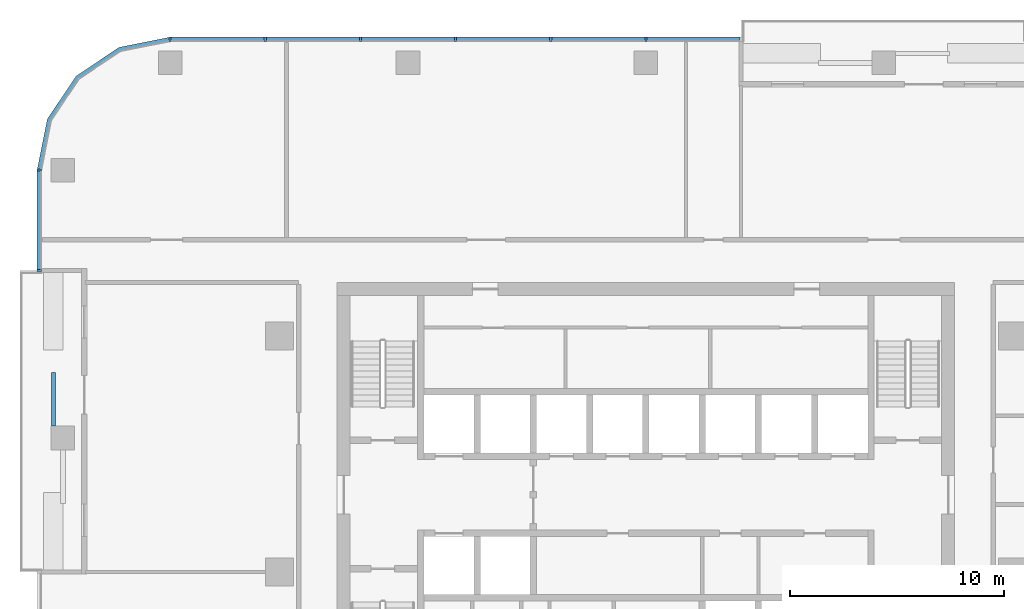
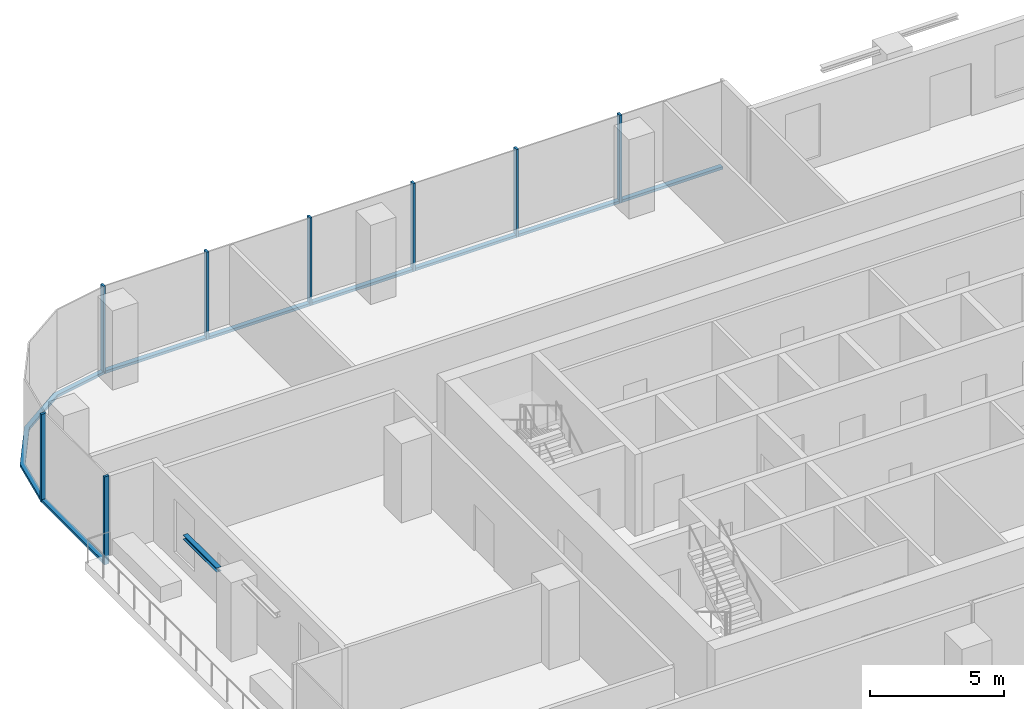
# One storey, part 4 of 14: 16 members, 1 beam, 3 elements without a shape of their own.
"""IFC4 building model written with IfcOpenShell, lengths in metres."""

import ifcopenshell
import ifcopenshell.guid

model = None  # the IFC model being written
_history = None  # IfcOwnerHistory: only IFC2X3 demands one
_inside = {}  # id of a spatial element -> (the spatial element, [elements in it])
_under = {}  # id of a project, library or spatial element -> (it, [spatial elements below it])
_declared = {}  # id of a project -> (the project, [libraries it declares])
_typed = {}  # id of a type object -> (the type object, [elements of that type])
_made_of = {}  # id of a material, layer set ... -> (it, [elements and type objects made of it])


def new_model(schema):
    """Start an empty IFC model of exactly this schema.

    Asked for "IFC4X3", IfcOpenShell would pick the latest addendum, in which some entities
    have other attributes; the version numbers below select the first issue.
    IFC2X3 requires an IfcOwnerHistory on every rooted entity: one is made here for all.
    """
    global model, _history
    if schema == "IFC4X3":
        model = ifcopenshell.file(schema_version=(4, 3, 0, 0))
    else:
        model = ifcopenshell.file(schema=schema)
    _inside.clear()
    _under.clear()
    _declared.clear()
    _typed.clear()
    _made_of.clear()
    _history = None
    if model.schema == "IFC2X3":
        org = make("IfcOrganization", Name="unknown")
        user = make(
            "IfcPersonAndOrganization",
            ThePerson=make("IfcPerson", FamilyName="unknown"),
            TheOrganization=org,
        )
        app = make(
            "IfcApplication",
            ApplicationDeveloper=org,
            Version="unknown",
            ApplicationFullName="unknown",
            ApplicationIdentifier="unknown",
        )
        _history = make(
            "IfcOwnerHistory",
            OwningUser=user,
            OwningApplication=app,
            ChangeAction="ADDED",
            CreationDate=0,
        )
    return model


def make(cls, **values):
    """One entity of the class cls with the attributes given. An attribute that is None is left unset."""
    return model.create_entity(
        cls, **{name: value for name, value in values.items() if value is not None}
    )


def rooted(cls, **values):
    """An entity with a GlobalId (a new one), such as an element, a storey or a relation."""
    return make(cls, GlobalId=ifcopenshell.guid.new(), OwnerHistory=_history, **values)


def si_unit(unit_type, name, prefix=None):
    """IfcSIUnit, for example si_unit("LENGTHUNIT", "METRE", prefix="MILLI")."""
    return make("IfcSIUnit", UnitType=unit_type, Prefix=prefix, Name=name)


def assignment(units):
    """IfcUnitAssignment: the units of a project."""
    return None if units is None else make("IfcUnitAssignment", Units=units)


def point(xyz):
    """IfcCartesianPoint."""
    return None if xyz is None else make("IfcCartesianPoint", Coordinates=xyz)


def direction(xyz):
    """IfcDirection."""
    return None if xyz is None else make("IfcDirection", DirectionRatios=xyz)


def frame(location, z_axis=None, x_axis=None):
    """IfcAxis2Placement3D, a coordinate frame: its origin and axes. An axis left out is left unset."""
    return make(
        "IfcAxis2Placement3D",
        Location=point(location),
        Axis=direction(z_axis),
        RefDirection=direction(x_axis),
    )


def frame_2d(location, x_axis=None):
    """IfcAxis2Placement2D, a coordinate frame in the plane: its origin and x axis."""
    return make(
        "IfcAxis2Placement2D", Location=point(location), RefDirection=direction(x_axis)
    )


def origin():
    """The frame at (0, 0, 0) with its axes left unset."""
    return frame((0.0, 0.0, 0.0))


def origin_2d():
    """The frame at (0, 0) in the plane with its x axis left unset."""
    return frame_2d((0.0, 0.0))


def place(relative_to, where):
    """IfcLocalPlacement: puts the frame where relative to a parent placement (None: the world)."""
    return make(
        "IfcLocalPlacement", PlacementRelTo=relative_to, RelativePlacement=where
    )


def context(
    kind, dimensions, precision=None, world=None, true_north=None, identifier=None
):
    """IfcGeometricRepresentationContext, for example the 3D "Model" context."""
    return make(
        "IfcGeometricRepresentationContext",
        ContextIdentifier=identifier,
        ContextType=kind,
        CoordinateSpaceDimension=dimensions,
        Precision=precision,
        WorldCoordinateSystem=world,
        TrueNorth=true_north,
    )


def subcontext(parent, identifier, kind, view, scale=None):
    """IfcGeometricRepresentationSubContext, for example "Body" below "Model"."""
    return make(
        "IfcGeometricRepresentationSubContext",
        ContextIdentifier=identifier,
        ContextType=kind,
        ParentContext=parent,
        TargetScale=scale,
        TargetView=view,
    )


def project(units=None, contexts=None):
    """IfcProject with its units and contexts."""
    return rooted(
        "IfcProject",
        Name="project",
        RepresentationContexts=contexts,
        UnitsInContext=assignment(units),
    )


def spatial(cls, under=None, at=None, **own):
    """A site, building, storey or space (cls), placed at a placement, below another one or the project."""
    s = rooted(cls, ObjectPlacement=at, **own)
    if under is not None:
        _under.setdefault(under.id(), (under, []))[1].append(s)
    return s


def polyline(points):
    """IfcPolyline through the points."""
    return make("IfcPolyline", Points=[point(p) for p in points])


def profile(cls, at=None, kind="AREA", **sizes):
    """A parametric profile (cls). Its sizes go by their IFC names, for example OverallWidth=200.0."""
    return make(cls, ProfileType=kind, Position=at, **sizes)


def rectangle(**sizes):
    """IfcRectangleProfileDef."""
    return profile("IfcRectangleProfileDef", **sizes)


def i_section(**sizes):
    """IfcIShapeProfileDef."""
    return profile("IfcIShapeProfileDef", **sizes)


def outline(outer, holes=None, kind="AREA"):
    """IfcArbitraryClosedProfileDef: a profile drawn as a closed curve; with holes, ...WithVoids."""
    if holes is None:
        return make("IfcArbitraryClosedProfileDef", ProfileType=kind, OuterCurve=outer)
    return make(
        "IfcArbitraryProfileDefWithVoids",
        ProfileType=kind,
        OuterCurve=outer,
        InnerCurves=holes,
    )


def extrude(swept, where, along, depth):
    """IfcExtrudedAreaSolid: the profile swept, set in the frame where, extruded along a direction by depth."""
    return make(
        "IfcExtrudedAreaSolid",
        SweptArea=swept,
        Position=where,
        ExtrudedDirection=direction(along),
        Depth=depth,
    )


def shape(context_of_items, identifier, shape_type, items):
    """IfcShapeRepresentation: the items that make up one representation, for example the "Body"."""
    return make(
        "IfcShapeRepresentation",
        ContextOfItems=context_of_items,
        RepresentationIdentifier=identifier,
        RepresentationType=shape_type,
        Items=items,
    )


def material(Name=None, Category=None):
    """IfcMaterial."""
    return make("IfcMaterial", Name=Name, Category=Category)


def material_profile(
    of_material, cross_section, Name=None, Category=None, Priority=None
):
    """IfcMaterialProfile: a cross section and its material."""
    return make(
        "IfcMaterialProfile",
        Name=Name,
        Material=of_material,
        Profile=cross_section,
        Priority=Priority,
        Category=Category,
    )


def profile_set(profiles, Name=None, composite=None):
    """IfcMaterialProfileSet."""
    return make(
        "IfcMaterialProfileSet",
        Name=Name,
        MaterialProfiles=profiles,
        CompositeProfile=composite,
    )


def made_of(thing, what):
    """Note that an element or type object is made of a material, layer set ...; save() writes the relation."""
    if what is not None:
        _made_of.setdefault(what.id(), (what, []))[1].append(thing)
    return thing


def type_object(cls, material=None, **own):
    """A type object (cls), such as IfcWallType, which elements share."""
    return made_of(rooted(cls, **own), material)


def element(
    cls,
    number,
    at=None,
    inside=None,
    cuts=None,
    type_object=None,
    material=None,
    context=None,
    identifier="Body",
    shape_type=None,
    held_by="IfcProductDefinitionShape",
    body=None,
    shapes=None,
    **own,
):
    """One element of the class cls, such as IfcWall. Its Tag is "e" and its number.

    at: its placement. inside: the storey or other place that contains it. cuts: it is an
    opening in that element (IfcRelVoidsElement). A single representation is given by context,
    identifier, shape_type and body (its items); several are given by shapes. held_by: the class
    of the entity that holds the representations. save() writes the other relations.
    """
    e = rooted(cls, Tag="e%d" % number, ObjectPlacement=at, **own)
    if body is not None:
        shapes = [shape(context, identifier, shape_type, body)]
    if shapes is not None:
        e.Representation = make(held_by, Representations=shapes)
    if inside is not None:
        _inside.setdefault(inside.id(), (inside, []))[1].append(e)
    if cuts is not None:
        rooted(
            "IfcRelVoidsElement", RelatingBuildingElement=cuts, RelatedOpeningElement=e
        )
    if type_object is not None:
        _typed.setdefault(type_object.id(), (type_object, []))[1].append(e)
    return made_of(e, material)


def aggregate(whole, parts):
    """IfcRelAggregates: a whole, such as a stair, and the parts it consists of."""
    return rooted("IfcRelAggregates", RelatingObject=whole, RelatedObjects=parts)


def save(model, path):
    """Write the relations noted so far, then the file.

    IfcRelAggregates (storeys below a building ...), IfcRelContainedInSpatialStructure (elements
    in a storey), IfcRelDefinesByType, IfcRelAssociatesMaterial and IfcRelDeclares: one each for
    every whole, place, type object, material and project.
    """
    for whole, parts in _under.values():
        aggregate(whole, parts)
    for where, things in _inside.values():
        rooted(
            "IfcRelContainedInSpatialStructure",
            RelatedElements=things,
            RelatingStructure=where,
        )
    for kind, things in _typed.values():
        rooted("IfcRelDefinesByType", RelatedObjects=things, RelatingType=kind)
    for what, things in _made_of.values():
        rooted("IfcRelAssociatesMaterial", RelatedObjects=things, RelatingMaterial=what)
    for by, libraries in _declared.values():
        rooted("IfcRelDeclares", RelatingContext=by, RelatedDefinitions=libraries)
    model.write(path)


model = new_model("IFC4")

# Units and contexts
model_context = context("Model", 3, precision=1e-05, world=origin(), true_north=direction((0.0, 1.0)))
body_context = subcontext(model_context, "Body", "Model", "MODEL_VIEW")
ifc_project = project(units=[si_unit("LENGTHUNIT", "METRE"), si_unit("AREAUNIT", "SQUARE_METRE"), si_unit("VOLUMEUNIT", "CUBIC_METRE"), si_unit("PLANEANGLEUNIT", "RADIAN"), si_unit("MASSUNIT", "GRAM", prefix="KILO")], contexts=[model_context])

# Site, building, storey
site_placement = place(None, origin())
site = spatial("IfcSite", under=ifc_project, at=site_placement, CompositionType="ELEMENT")
building_placement = place(site_placement, origin())
building = spatial("IfcBuilding", under=site, at=building_placement, Name="Mopane Tessera Tower", CompositionType="ELEMENT")
storey_placement = place(building_placement, frame((0.0, 0.0, 251.0)))
storey = spatial("IfcBuildingStorey", under=building, at=storey_placement, Name="L54", CompositionType="ELEMENT", Elevation=251.0)

# Curtain wall, members
ifc_material_1 = material(Name="Aluminium frame", Category="aluminium")
curtain_wall_type = type_object("IfcCurtainWallType", Name="Unitised curtain wall", PredefinedType="NOTDEFINED", material=ifc_material_1)
curtain_wall_1_placement = place(storey_placement, origin())
curtain_wall_1 = element("IfcCurtainWall", 1, at=curtain_wall_1_placement, inside=storey, type_object=curtain_wall_type, Name="e:cw:L54:N:4", PredefinedType="NOTDEFINED")
ifc_material_2 = material(Name="Aluminium frame", Category="aluminium")
ifc_material_profile_1 = material_profile(ifc_material_2, rectangle(XDim=0.10009765625, YDim=0.199951171875, at=origin_2d()))
ifc_profile_set_1 = profile_set([ifc_material_profile_1], Name="Aluminium frame")
member_type_1 = type_object("IfcMemberType", Name="Aluminium mullion 100 x 200", PredefinedType="MULLION", material=ifc_profile_set_1)
member_1_placement = place(storey_placement, frame((0.0, 24.85009765625, -0.39990234375), z_axis=(0.0, 0.0, 1.0), x_axis=(-1.0, 0.0, 0.0)))
member_1 = element("IfcMember", 2, at=member_1_placement, type_object=member_type_1, Name="e:cw:L54:N:4:mu5", PredefinedType="MULLION", context=body_context, shape_type="SweptSolid", body=[
    extrude(rectangle(XDim=0.10009765625, YDim=0.199951171875, at=origin_2d()), origin(), (0.0, 0.0, 1.0), 4.0),
])
member_2_placement = place(storey_placement, frame((-4.43994140625, 24.85009765625, -0.39990234375), z_axis=(0.0, 0.0, 1.0), x_axis=(-1.0, 0.0, 0.0)))
member_2 = element("IfcMember", 3, at=member_2_placement, type_object=member_type_1, Name="e:cw:L54:N:4:mu6", PredefinedType="MULLION", context=body_context, shape_type="SweptSolid", body=[
    extrude(rectangle(XDim=0.10009765625, YDim=0.199951171875, at=origin_2d()), origin(), (0.0, 0.0, 1.0), 4.0),
])
member_3_placement = place(storey_placement, frame((-8.8798828125, 24.85009765625, -0.39990234375), z_axis=(0.0, 0.0, 1.0), x_axis=(-1.0, 0.0, 0.0)))
member_3 = element("IfcMember", 4, at=member_3_placement, type_object=member_type_1, Name="e:cw:L54:N:4:mu7", PredefinedType="MULLION", context=body_context, shape_type="SweptSolid", body=[
    extrude(rectangle(XDim=0.10009765625, YDim=0.199951171875, at=origin_2d()), origin(), (0.0, 0.0, 1.0), 4.0),
])
member_4_placement = place(storey_placement, frame((-13.320068359375, 24.85009765625, -0.39990234375), z_axis=(0.0, 0.0, 1.0), x_axis=(-1.0, 0.0, 0.0)))
member_4 = element("IfcMember", 5, at=member_4_placement, type_object=member_type_1, Name="e:cw:L54:N:4:mu8", PredefinedType="MULLION", context=body_context, shape_type="SweptSolid", body=[
    extrude(rectangle(XDim=0.10009765625, YDim=0.199951171875, at=origin_2d()), origin(), (0.0, 0.0, 1.0), 4.0),
])
member_5_placement = place(storey_placement, frame((-17.760009765625, 24.85009765625, -0.39990234375), z_axis=(0.0, 0.0, 1.0), x_axis=(-1.0, 0.0, 0.0)))
member_5 = element("IfcMember", 6, at=member_5_placement, type_object=member_type_1, Name="e:cw:L54:N:4:mu9", PredefinedType="MULLION", context=body_context, shape_type="SweptSolid", body=[
    extrude(rectangle(XDim=0.10009765625, YDim=0.199951171875, at=origin_2d()), origin(), (0.0, 0.0, 1.0), 4.0),
])
member_6_placement = place(storey_placement, frame((-22.199951171875, 24.85009765625, -0.39990234375), z_axis=(0.0, 0.0, 1.0), x_axis=(-1.0, 0.0, 0.0)))
member_6 = element("IfcMember", 7, at=member_6_placement, type_object=member_type_1, Name="e:cw:L54:N:4:mu10", PredefinedType="MULLION", context=body_context, shape_type="SweptSolid", body=[
    extrude(rectangle(XDim=0.10009765625, YDim=0.199951171875, at=origin_2d()), origin(), (0.0, 0.0, 1.0), 4.0),
])

curtain_wall_2_placement = place(storey_placement, origin())
curtain_wall_2 = element("IfcCurtainWall", 8, at=curtain_wall_2_placement, inside=storey, type_object=curtain_wall_type, Name="e:cw:L54:W:0", PredefinedType="NOTDEFINED")
member_7_placement = place(storey_placement, frame((-28.300048828125, 18.75, -0.39990234375), z_axis=(0.0, 0.0, 1.0), x_axis=(0.0, -1.0, 0.0)))
member_7 = element("IfcMember", 9, at=member_7_placement, type_object=member_type_1, Name="e:cw:L54:W:0:mu0", PredefinedType="MULLION", context=body_context, shape_type="SweptSolid", body=[
    extrude(rectangle(XDim=0.10009765625, YDim=0.199951171875, at=origin_2d()), origin(), (0.0, 0.0, 1.0), 4.0),
])
member_8_placement = place(storey_placement, frame((-28.300048828125, 14.0625, -0.39990234375), z_axis=(0.0, 0.0, 1.0), x_axis=(0.0, -1.0, 0.0)))
member_8 = element("IfcMember", 10, at=member_8_placement, type_object=member_type_1, Name="e:cw:L54:W:0:mu1", PredefinedType="MULLION", context=body_context, shape_type="SweptSolid", body=[
    extrude(rectangle(XDim=0.10009765625, YDim=0.199951171875, at=origin_2d()), origin(), (0.0, 0.0, 1.0), 4.0),
])

# Member
ifc_material_3 = material(Name="Aluminium frame", Category="aluminium")
ifc_material_profile_2 = material_profile(ifc_material_3, rectangle(XDim=0.199951171875, YDim=0.1201171875, at=origin_2d()))
ifc_profile_set_2 = profile_set([ifc_material_profile_2], Name="Aluminium frame")
member_type_2 = type_object("IfcMemberType", Name="Aluminium transom 200 x 120", PredefinedType="USERDEFINED", material=ifc_profile_set_2)
member_9_placement = place(storey_placement, frame((4.389892578125, 24.85009765625, -0.340087890625), z_axis=(-1.0, 0.0, 0.0), x_axis=(0.0, -1.0, 0.0)))
member_9 = element("IfcMember", 11, at=member_9_placement, type_object=member_type_2, Name="e:cw:L54:N:4:tr4", ObjectType="TRANSOM", PredefinedType="USERDEFINED", context=body_context, shape_type="SweptSolid", body=[
    extrude(rectangle(XDim=0.199951171875, YDim=0.1201171875, at=origin_2d()), origin(), (0.0, 0.0, 1.0), 4.33984375),
])

member_10_placement = place(storey_placement, frame((-0.050048828125, 24.85009765625, -0.340087890625), z_axis=(-1.0, 0.0, 0.0), x_axis=(0.0, -1.0, 0.0)))
member_10 = element("IfcMember", 12, at=member_10_placement, type_object=member_type_2, Name="e:cw:L54:N:4:tr5", ObjectType="TRANSOM", PredefinedType="USERDEFINED", context=body_context, shape_type="SweptSolid", body=[
    extrude(rectangle(XDim=0.199951171875, YDim=0.1201171875, at=origin_2d()), origin(), (0.0, 0.0, 1.0), 4.33984375),
])

member_11_placement = place(storey_placement, frame((-4.489990234375, 24.85009765625, -0.340087890625), z_axis=(-1.0, 0.0, 0.0), x_axis=(0.0, -1.0, 0.0)))
member_11 = element("IfcMember", 13, at=member_11_placement, type_object=member_type_2, Name="e:cw:L54:N:4:tr6", ObjectType="TRANSOM", PredefinedType="USERDEFINED", context=body_context, shape_type="SweptSolid", body=[
    extrude(rectangle(XDim=0.199951171875, YDim=0.1201171875, at=origin_2d()), origin(), (0.0, 0.0, 1.0), 4.340087890625),
])

member_12_placement = place(storey_placement, frame((-8.929931640625, 24.85009765625, -0.340087890625), z_axis=(-1.0, 0.0, 0.0), x_axis=(0.0, -1.0, 0.0)))
member_12 = element("IfcMember", 14, at=member_12_placement, type_object=member_type_2, Name="e:cw:L54:N:4:tr7", ObjectType="TRANSOM", PredefinedType="USERDEFINED", context=body_context, shape_type="SweptSolid", body=[
    extrude(rectangle(XDim=0.199951171875, YDim=0.1201171875, at=origin_2d()), origin(), (0.0, 0.0, 1.0), 4.340087890625),
])

member_13_placement = place(storey_placement, frame((-13.3701171875, 24.85009765625, -0.340087890625), z_axis=(-1.0, 0.0, 0.0), x_axis=(0.0, -1.0, 0.0)))
member_13 = element("IfcMember", 15, at=member_13_placement, type_object=member_type_2, Name="e:cw:L54:N:4:tr8", ObjectType="TRANSOM", PredefinedType="USERDEFINED", context=body_context, shape_type="SweptSolid", body=[
    extrude(rectangle(XDim=0.199951171875, YDim=0.1201171875, at=origin_2d()), origin(), (0.0, 0.0, 1.0), 4.33984375),
])

member_14_placement = place(storey_placement, frame((-17.81005859375, 24.85009765625, -0.340087890625), z_axis=(-1.0, 0.0, 0.0), x_axis=(0.0, -1.0, 0.0)))
member_14 = element("IfcMember", 16, at=member_14_placement, type_object=member_type_2, Name="e:cw:L54:N:4:tr9", ObjectType="TRANSOM", PredefinedType="USERDEFINED", context=body_context, shape_type="SweptSolid", body=[
    extrude(rectangle(XDim=0.199951171875, YDim=0.1201171875, at=origin_2d()), origin(), (0.0, 0.0, 1.0), 4.33984375),
])

aggregate(curtain_wall_1, [member_1, member_2, member_3, member_4, member_5, member_6, member_9, member_10, member_11, member_12, member_13, member_14])

# Curtain wall, member
curtain_wall_3_placement = place(storey_placement, origin())
curtain_wall_3 = element("IfcCurtainWall", 17, at=curtain_wall_3_placement, inside=storey, type_object=curtain_wall_type, Name="e:cw:L54:CN", PredefinedType="NOTDEFINED")
member_15_placement = place(storey_placement, frame((0.0, 0.0, -0.39990234375)))
member_15 = element("IfcMember", 18, at=member_15_placement, type_object=member_type_2, Name="e:cw:L54:CN:tr", ObjectType="TRANSOM", PredefinedType="USERDEFINED", context=body_context, shape_type="SweptSolid", body=[
    extrude(outline(polyline([(-22.199951171875, 24.75), (-24.49609375, 24.293212890625), (-26.442626953125, 22.99267578125), (-27.7431640625, 21.046142578125), (-28.199951171875, 18.75), (-28.39990234375, 18.75), (-27.927978515625, 21.12255859375), (-26.583984375, 23.134033203125), (-24.57275390625, 24.47802734375), (-22.199951171875, 24.949951171875), (-22.199951171875, 24.75)])), origin(), (0.0, 0.0, 1.0), 0.119873046875),
])
aggregate(curtain_wall_3, [member_15])

# Member
member_16_placement = place(storey_placement, frame((-28.300048828125, 18.699951171875, -0.340087890625), z_axis=(0.0, -1.0, 0.0), x_axis=(1.0, 0.0, 0.0)))
member_16 = element("IfcMember", 19, at=member_16_placement, type_object=member_type_2, Name="e:cw:L54:W:0:tr0", ObjectType="TRANSOM", PredefinedType="USERDEFINED", context=body_context, shape_type="SweptSolid", body=[
    extrude(rectangle(XDim=0.199951171875, YDim=0.1201171875, at=origin_2d()), origin(), (0.0, 0.0, 1.0), 4.58740234375),
])

aggregate(curtain_wall_2, [member_7, member_8, member_16])

# Beam
ifc_material_4 = material(Name="Structural steel S460", Category="steel")
ifc_material_profile_3 = material_profile(ifc_material_4, i_section(OverallWidth=0.199951171875, OverallDepth=0.199951171875, WebThickness=0.009033203125, FlangeThickness=0.014892578125, FilletRadius=0.01806640625, at=origin_2d()))
ifc_profile_set_3 = profile_set([ifc_material_profile_3], Name="Structural steel S460")
beam_type = type_object("IfcBeamType", Name="Terrace trimmer beam HE 200 B", PredefinedType="BEAM", material=ifc_profile_set_3)
beam_placement = place(storey_placement, frame((-27.639892578125, 6.802978515625, 3.5), z_axis=(0.0, 1.0, 0.0), x_axis=(-1.0, 0.0, 0.0)))
element("IfcBeam", 20, at=beam_placement, inside=storey, type_object=beam_type, Name="Terrace trimmer beam N3 L55", PredefinedType="BEAM", context=body_context, shape_type="SweptSolid", body=[
    extrude(i_section(OverallWidth=0.199951171875, OverallDepth=0.199951171875, WebThickness=0.009033203125, FlangeThickness=0.014892578125, FilletRadius=0.01806640625, at=origin_2d()), origin(), (0.0, 0.0, 1.0), 2.5),
])

save(model, "model.ifc")
